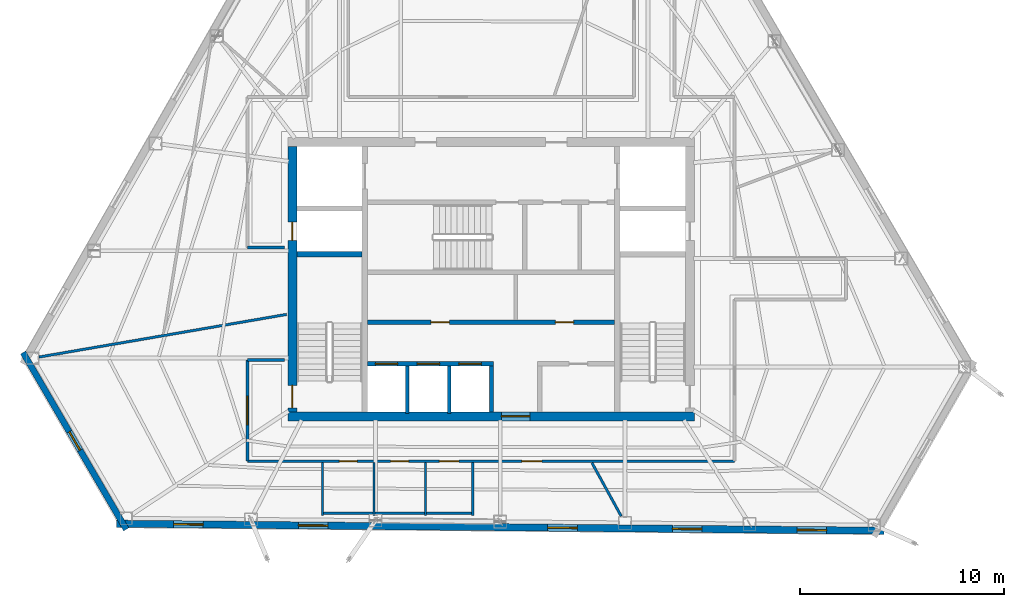
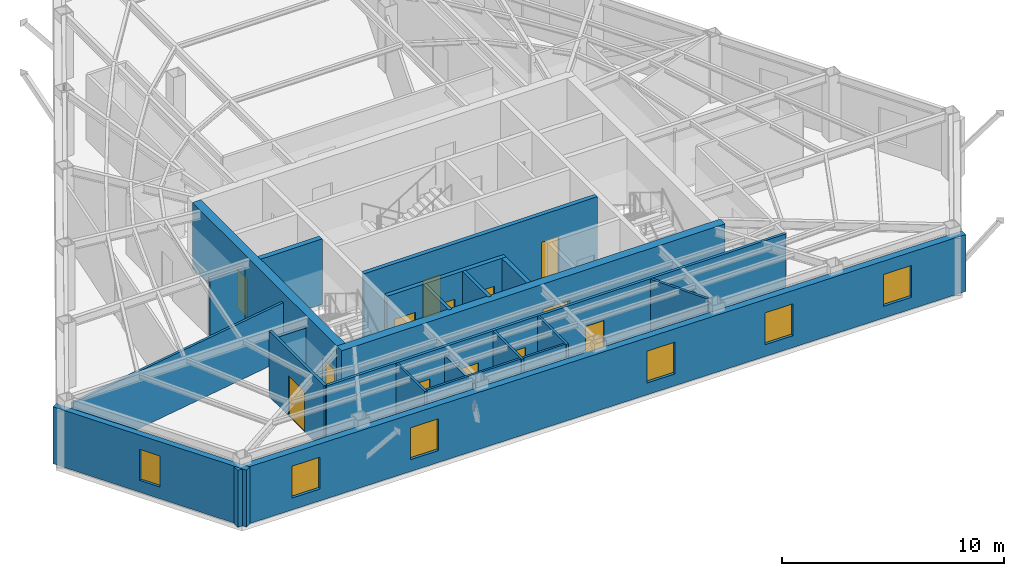
# One storey, part 7 of 10: 21 walls, 13 doors, 6 windows, 19 openings.
"""IFC4 building model written with IfcOpenShell, lengths in metres."""

from ifc_helpers import new_model, si_unit, direction, frame, frame_2d, origin, place, context, subcontext, project, spatial, rectangle, extrude, material, layer, layer_set, type_object, element, fill, save


model = new_model("IFC4")

# Units and contexts
model_context = context("Model", 3, precision=1e-05, world=origin(), true_north=direction((0.0, 1.0)))
body_context = subcontext(model_context, "Body", "Model", "MODEL_VIEW")
ifc_project = project(units=[si_unit("LENGTHUNIT", "METRE"), si_unit("AREAUNIT", "SQUARE_METRE"), si_unit("VOLUMEUNIT", "CUBIC_METRE"), si_unit("PLANEANGLEUNIT", "RADIAN"), si_unit("MASSUNIT", "GRAM", prefix="KILO")], contexts=[model_context])

# Site, building, storey
site_placement = place(None, origin())
site = spatial("IfcSite", under=ifc_project, at=site_placement, CompositionType="ELEMENT")
building_placement = place(site_placement, origin())
building = spatial("IfcBuilding", under=site, at=building_placement, Name="Kavelnor Concourse Tower", CompositionType="ELEMENT")
storey_placement = place(building_placement, frame((0.0, 0.0, 188.10009765625)))
storey = spatial("IfcBuildingStorey", under=building, at=storey_placement, Name="L47", CompositionType="ELEMENT", Elevation=188.10009765625)

# Wall, opening, door
ifc_material_1 = material(Name="Concrete C50/60", Category="concrete")
ifc_layer_1 = layer(ifc_material_1, 0.43994140625, Name="Concrete C50/60")
ifc_layer_set_1 = layer_set([ifc_layer_1], Name="Concrete C50/60")
wall_type_1 = type_object("IfcWallType", Name="WL-CORE-Z3-440", PredefinedType="SOLIDWALL", material=ifc_layer_set_1)
wall_1_placement = place(storey_placement, frame((28.0400390625, 9.3798828125, 0.0), z_axis=(0.0, 0.0, 1.0), x_axis=(1.0, 0.0, 0.0)))
wall_1 = element("IfcWall", 1, at=wall_1_placement, inside=storey, type_object=wall_type_1, Name="L47 Central Core South Shear Wall", PredefinedType="SOLIDWALL", context=body_context, shape_type="SweptSolid", body=[
    extrude(rectangle(XDim=19.919921875, YDim=0.43994140625, at=frame_2d((9.9599609375, 0.0))), origin(), (0.0, 0.0, 1.0), 3.599853515625),
])
opening_1_placement = place(wall_1_placement, frame((10.4599609375, 0.0, 0.0)))
opening_1 = element("IfcOpeningElement", 2, at=opening_1_placement, cuts=wall_1, Name="Opening SD-140", PredefinedType="OPENING", context=body_context, shape_type="SweptSolid", body=[
    extrude(rectangle(XDim=1.39990234375, YDim=2.199951171875, at=frame_2d((0.699951171875, 1.10009765625))), frame((0.0, 0.22998046875, 0.0), z_axis=(0.0, -1.0, 0.0), x_axis=(1.0, 0.0, 0.0)), (0.0, 0.0, 1.0), 0.4599609375),
])
ifc_material_2 = material(Name="Solid-core hardwood timber", Category="wood")
door_type_1 = type_object("IfcDoorType", Name="DR-SUITE-ENTRY-1400", OperationType="NOTDEFINED", PredefinedType="DOOR", material=ifc_material_2)
door_1_placement = place(opening_1_placement, origin())
door_1 = element("IfcDoor", 3, at=door_1_placement, inside=storey, type_object=door_type_1, Name="L47 Passenger Lift Lobby Entry Door", OperationType="SINGLE_SWING_RIGHT", OverallHeight=2.199951171875, OverallWidth=1.39990234375, PredefinedType="DOOR", context=body_context, shape_type="SweptSolid", body=[
    extrude(rectangle(XDim=1.39990234375, YDim=2.199951171875, at=frame_2d((0.699951171875, 1.10009765625))), frame((0.0, 0.02490234375, 0.0), z_axis=(0.0, -1.0, 0.0), x_axis=(1.0, 0.0, 0.0)), (0.0, 0.0, 1.0), 0.050048828125),
])
fill(opening_1, door_1)

# Wall, openings, doors
wall_2_placement = place(storey_placement, frame((28.260009765625, 9.60009765625, 0.0), z_axis=(0.0, 0.0, 1.0), x_axis=(0.0, 1.0, 0.0)))
wall_2 = element("IfcWall", 4, at=wall_2_placement, inside=storey, type_object=wall_type_1, Name="L47 Central Core West Shear Wall", PredefinedType="SOLIDWALL", context=body_context, shape_type="SweptSolid", body=[
    extrude(rectangle(XDim=13.0, YDim=0.43994140625, at=frame_2d((6.5, 0.0))), origin(), (0.0, 0.0, 1.0), 3.599853515625),
])
opening_2_placement = place(wall_2_placement, frame((0.199951171875, 0.0, 0.0)))
opening_2 = element("IfcOpeningElement", 5, at=opening_2_placement, cuts=wall_2, Name="Opening FD-110", PredefinedType="OPENING", context=body_context, shape_type="SweptSolid", body=[
    extrude(rectangle(XDim=1.10009765625, YDim=2.14990234375, at=frame_2d((0.550048828125, 1.074951171875))), frame((0.0, 0.22998046875, 0.0), z_axis=(0.0, -1.0, 0.0), x_axis=(1.0, 0.0, 0.0)), (0.0, 0.0, 1.0), 0.4599609375),
])
opening_3_placement = place(wall_2_placement, frame((8.39990234375, 0.0, 0.0)))
opening_3 = element("IfcOpeningElement", 6, at=opening_3_placement, cuts=wall_2, Name="Opening FD-090", PredefinedType="OPENING", context=body_context, shape_type="SweptSolid", body=[
    extrude(rectangle(XDim=0.89990234375, YDim=2.10009765625, at=frame_2d((0.449951171875, 1.050048828125))), frame((0.0, 0.22998046875, 0.0), z_axis=(0.0, -1.0, 0.0), x_axis=(1.0, 0.0, 0.0)), (0.0, 0.0, 1.0), 0.4599609375),
])
ifc_material_3 = material(Name="Steel Grade 350", Category="steel")
door_type_2 = type_object("IfcDoorType", Name="DR-RISER-FIRE-900", OperationType="NOTDEFINED", PredefinedType="DOOR", material=ifc_material_3)
door_2_placement = place(opening_3_placement, origin())
door_2 = element("IfcDoor", 7, at=door_2_placement, inside=storey, type_object=door_type_2, Name="L47 West Riser Access Door", OperationType="SINGLE_SWING_RIGHT", OverallHeight=2.10009765625, OverallWidth=0.89990234375, PredefinedType="DOOR", context=body_context, shape_type="SweptSolid", body=[
    extrude(rectangle(XDim=0.89990234375, YDim=2.10009765625, at=frame_2d((0.449951171875, 1.050048828125))), frame((0.0, 0.02490234375, 0.0), z_axis=(0.0, -1.0, 0.0), x_axis=(1.0, 0.0, 0.0)), (0.0, 0.0, 1.0), 0.050048828125),
])
fill(opening_3, door_2)
door_type_3 = type_object("IfcDoorType", Name="DR-STAIR-FIRE-1100", OperationType="NOTDEFINED", PredefinedType="DOOR", material=ifc_material_3)
door_3_placement = place(opening_2_placement, origin())
door_3 = element("IfcDoor", 8, at=door_3_placement, inside=storey, type_object=door_type_3, Name="L47 Stair ST1 Fire Door", OperationType="SINGLE_SWING_LEFT", OverallHeight=2.14990234375, OverallWidth=1.10009765625, PredefinedType="DOOR", context=body_context, shape_type="SweptSolid", body=[
    extrude(rectangle(XDim=1.10009765625, YDim=2.14990234375, at=frame_2d((0.550048828125, 1.074951171875))), frame((0.0, 0.02490234375, 0.0), z_axis=(0.0, -1.0, 0.0), x_axis=(1.0, 0.0, 0.0)), (0.0, 0.0, 1.0), 0.050048828125),
])
fill(opening_2, door_3)

# Wall, opening, window
ifc_material_4 = material(Name="Buff ironspot clay face brick masonry", Category="masonry")
ifc_layer_2 = layer(ifc_material_4, 0.300048828125, Name="Buff ironspot clay face brick masonry")
ifc_layer_set_2 = layer_set([ifc_layer_2], Name="Buff ironspot clay face brick masonry")
wall_type_2 = type_object("IfcWallType", Name="WL-EXT-BUFF-BRICK-FOLD-300", PredefinedType="STANDARD", material=ifc_layer_set_2)
wall_3_placement = place(storey_placement, frame((20.119873046875, 3.839111328125, 0.0), z_axis=(0.0, 0.0, 1.0), x_axis=(-0.503937564299, 0.863740083178, 0.0)))
wall_3 = element("IfcWall", 9, at=wall_3_placement, inside=storey, type_object=wall_type_2, Name="L47 Exterior Brick Facade Wall E2", PredefinedType="STANDARD", context=body_context, shape_type="SweptSolid", body=[
    extrude(rectangle(XDim=10.03759765625, YDim=0.300048828125, at=frame_2d((5.018798828125, 0.0))), origin(), (0.0, 0.0, 1.0), 3.1318359375),
])
opening_4_placement = place(wall_3_placement, frame((4.493896484375, 0.0, 0.64990234375)))
opening_4 = element("IfcOpeningElement", 10, at=opening_4_placement, cuts=wall_3, Name="Opening W-06", PredefinedType="OPENING", context=body_context, shape_type="SweptSolid", body=[
    extrude(rectangle(XDim=1.050048828125, YDim=1.699951171875, at=frame_2d((0.52490234375, 0.85009765625))), frame((0.0, 0.16015625, 0.0), z_axis=(0.0, -1.0, 0.0), x_axis=(1.0, 0.0, 0.0)), (0.0, 0.0, 1.0), 0.320068359375),
])
ifc_material_5 = material(Name="Double low-E argon insulated glazing", Category="glass")
window_type_1 = type_object("IfcWindowType", Name="WIN-FOLD-1050", PartitioningType="SINGLE_PANEL", PredefinedType="WINDOW", material=ifc_material_5)
window_1_placement = place(opening_4_placement, origin())
window_1 = element("IfcWindow", 11, at=window_1_placement, inside=storey, type_object=window_type_1, Name="L47 Chamfer-Fold Facet Window C1", OverallHeight=1.699951171875, OverallWidth=1.050048828125, PartitioningType="SINGLE_PANEL", PredefinedType="WINDOW", context=body_context, shape_type="SweptSolid", body=[
    extrude(rectangle(XDim=1.050048828125, YDim=1.699951171875, at=frame_2d((0.52490234375, 0.85009765625))), frame((0.0, 0.030029296875, 0.0), z_axis=(0.0, -1.0, 0.0), x_axis=(1.0, 0.0, 0.0)), (0.0, 0.0, 1.0), 0.06005859375),
])
fill(opening_4, window_1)

# Wall, openings, windows
ifc_material_6 = material(Name="Red-ochre clay face brick masonry", Category="masonry")
ifc_layer_3 = layer(ifc_material_6, 0.35009765625, Name="Red-ochre clay face brick masonry")
ifc_layer_set_3 = layer_set([ifc_layer_3], Name="Red-ochre clay face brick masonry")
wall_type_3 = type_object("IfcWallType", Name="WL-EXT-RED-BRICK-PIER-350", PredefinedType="STANDARD", material=ifc_layer_set_3)
wall_4_placement = place(storey_placement, frame((57.2587890625, 3.77294921875, 0.0), z_axis=(0.0, 0.0, 1.0), x_axis=(-0.999958016909, 0.009163210113, 0.0)))
wall_4 = element("IfcWall", 12, at=wall_4_placement, inside=storey, type_object=wall_type_3, Name="L47 Exterior Brick Facade Wall E3", PredefinedType="STANDARD", context=body_context, shape_type="SweptSolid", body=[
    extrude(rectangle(XDim=37.62060546875, YDim=0.35009765625, at=frame_2d((18.810302734375, 0.0))), origin(), (0.0, 0.0, 1.0), 3.1318359375),
])
opening_5_placement = place(wall_4_placement, frame((33.36767578125, 0.0, 0.64990234375)))
opening_5 = element("IfcOpeningElement", 13, at=opening_5_placement, cuts=wall_4, Name="Opening W-03", PredefinedType="OPENING", context=body_context, shape_type="SweptSolid", body=[
    extrude(rectangle(XDim=1.449951171875, YDim=1.75, at=frame_2d((0.72509765625, 0.875))), frame((0.0, 0.18505859375, 0.0), z_axis=(0.0, -1.0, 0.0), x_axis=(1.0, 0.0, 0.0)), (0.0, 0.0, 1.0), 0.3701171875),
])
opening_6_placement = place(wall_4_placement, frame((27.256591796875, 0.0, 0.64990234375)))
opening_6 = element("IfcOpeningElement", 14, at=opening_6_placement, cuts=wall_4, Name="Opening W-03", PredefinedType="OPENING", context=body_context, shape_type="SweptSolid", body=[
    extrude(rectangle(XDim=1.449951171875, YDim=1.75, at=frame_2d((0.72509765625, 0.875))), frame((0.0, 0.18505859375, 0.0), z_axis=(0.0, -1.0, 0.0), x_axis=(1.0, 0.0, 0.0)), (0.0, 0.0, 1.0), 0.3701171875),
])
opening_7_placement = place(wall_4_placement, frame((15.0341796875, 0.0, 0.64990234375)))
opening_7 = element("IfcOpeningElement", 15, at=opening_7_placement, cuts=wall_4, Name="Opening W-03", PredefinedType="OPENING", context=body_context, shape_type="SweptSolid", body=[
    extrude(rectangle(XDim=1.449951171875, YDim=1.75, at=frame_2d((0.72509765625, 0.875))), frame((0.0, 0.18505859375, 0.0), z_axis=(0.0, -1.0, 0.0), x_axis=(1.0, 0.0, 0.0)), (0.0, 0.0, 1.0), 0.3701171875),
])
opening_8_placement = place(wall_4_placement, frame((8.923095703125, 0.0, 0.64990234375)))
opening_8 = element("IfcOpeningElement", 16, at=opening_8_placement, cuts=wall_4, Name="Opening W-03", PredefinedType="OPENING", context=body_context, shape_type="SweptSolid", body=[
    extrude(rectangle(XDim=1.449951171875, YDim=1.75, at=frame_2d((0.72509765625, 0.875))), frame((0.0, 0.18505859375, 0.0), z_axis=(0.0, -1.0, 0.0), x_axis=(1.0, 0.0, 0.0)), (0.0, 0.0, 1.0), 0.3701171875),
])
opening_9_placement = place(wall_4_placement, frame((2.81201171875, 0.0, 0.64990234375)))
opening_9 = element("IfcOpeningElement", 17, at=opening_9_placement, cuts=wall_4, Name="Opening W-03", PredefinedType="OPENING", context=body_context, shape_type="SweptSolid", body=[
    extrude(rectangle(XDim=1.449951171875, YDim=1.75, at=frame_2d((0.72509765625, 0.875))), frame((0.0, 0.18505859375, 0.0), z_axis=(0.0, -1.0, 0.0), x_axis=(1.0, 0.0, 0.0)), (0.0, 0.0, 1.0), 0.3701171875),
])
window_type_2 = type_object("IfcWindowType", Name="WIN-PIER-Z3-1500", PartitioningType="SINGLE_PANEL", PredefinedType="WINDOW", material=ifc_material_5)
window_2_placement = place(opening_5_placement, origin())
window_2 = element("IfcWindow", 18, at=window_2_placement, inside=storey, type_object=window_type_2, Name="L47 Deep-Set Brick Pier Window F1-B0", OverallHeight=1.75, OverallWidth=1.449951171875, PartitioningType="SINGLE_PANEL", PredefinedType="WINDOW", context=body_context, shape_type="SweptSolid", body=[
    extrude(rectangle(XDim=1.449951171875, YDim=1.75, at=frame_2d((0.72509765625, 0.875))), frame((0.0, 0.030029296875, 0.0), z_axis=(0.0, -1.0, 0.0), x_axis=(1.0, 0.0, 0.0)), (0.0, 0.0, 1.0), 0.06005859375),
])
fill(opening_5, window_2)
window_3_placement = place(opening_6_placement, origin())
window_3 = element("IfcWindow", 19, at=window_3_placement, inside=storey, type_object=window_type_2, Name="L47 Deep-Set Brick Pier Window F1-B1", OverallHeight=1.75, OverallWidth=1.449951171875, PartitioningType="SINGLE_PANEL", PredefinedType="WINDOW", context=body_context, shape_type="SweptSolid", body=[
    extrude(rectangle(XDim=1.449951171875, YDim=1.75, at=frame_2d((0.72509765625, 0.875))), frame((0.0, 0.030029296875, 0.0), z_axis=(0.0, -1.0, 0.0), x_axis=(1.0, 0.0, 0.0)), (0.0, 0.0, 1.0), 0.06005859375),
])
fill(opening_6, window_3)
window_4_placement = place(opening_7_placement, origin())
window_4 = element("IfcWindow", 20, at=window_4_placement, inside=storey, type_object=window_type_2, Name="L47 Deep-Set Brick Pier Window F1-B3", OverallHeight=1.75, OverallWidth=1.449951171875, PartitioningType="SINGLE_PANEL", PredefinedType="WINDOW", context=body_context, shape_type="SweptSolid", body=[
    extrude(rectangle(XDim=1.449951171875, YDim=1.75, at=frame_2d((0.72509765625, 0.875))), frame((0.0, 0.030029296875, 0.0), z_axis=(0.0, -1.0, 0.0), x_axis=(1.0, 0.0, 0.0)), (0.0, 0.0, 1.0), 0.06005859375),
])
fill(opening_7, window_4)
window_5_placement = place(opening_8_placement, origin())
window_5 = element("IfcWindow", 21, at=window_5_placement, inside=storey, type_object=window_type_2, Name="L47 Deep-Set Brick Pier Window F1-B4", OverallHeight=1.75, OverallWidth=1.449951171875, PartitioningType="SINGLE_PANEL", PredefinedType="WINDOW", context=body_context, shape_type="SweptSolid", body=[
    extrude(rectangle(XDim=1.449951171875, YDim=1.75, at=frame_2d((0.72509765625, 0.875))), frame((0.0, 0.030029296875, 0.0), z_axis=(0.0, -1.0, 0.0), x_axis=(1.0, 0.0, 0.0)), (0.0, 0.0, 1.0), 0.06005859375),
])
fill(opening_8, window_5)
window_6_placement = place(opening_9_placement, origin())
window_6 = element("IfcWindow", 22, at=window_6_placement, inside=storey, type_object=window_type_2, Name="L47 Deep-Set Brick Pier Window F1-B5", OverallHeight=1.75, OverallWidth=1.449951171875, PartitioningType="SINGLE_PANEL", PredefinedType="WINDOW", context=body_context, shape_type="SweptSolid", body=[
    extrude(rectangle(XDim=1.449951171875, YDim=1.75, at=frame_2d((0.72509765625, 0.875))), frame((0.0, 0.030029296875, 0.0), z_axis=(0.0, -1.0, 0.0), x_axis=(1.0, 0.0, 0.0)), (0.0, 0.0, 1.0), 0.06005859375),
])
fill(opening_9, window_6)

# Wall
ifc_material_7 = material(Name="Gypsum plasterboard on light-gauge steel studs", Category="steel")
ifc_layer_4 = layer(ifc_material_7, 0.14501953125, Name="Gypsum plasterboard on light-gauge steel studs")
ifc_layer_set_4 = layer_set([ifc_layer_4], Name="Gypsum plasterboard on light-gauge steel studs")
wall_type_4 = type_object("IfcWallType", Name="WL-INT-CORR-145", PredefinedType="PARTITIONING", material=ifc_layer_set_4)
wall_5_placement = place(storey_placement, frame((27.8798828125, 17.64990234375, 0.0), z_axis=(0.0, 0.0, 1.0), x_axis=(-1.0, 0.0, 0.0)))
element("IfcWall", 23, at=wall_5_placement, inside=storey, type_object=wall_type_4, Name="L47 Corridor Wall WL-L47-CR-01", PredefinedType="PARTITIONING", context=body_context, shape_type="SweptSolid", body=[
    extrude(rectangle(XDim=1.81982421875, YDim=0.14501953125, at=frame_2d((0.909912109375, 0.0))), origin(), (0.0, 0.0, 1.0), 3.140869140625),
])

# Wall, openings, doors
wall_6_placement = place(storey_placement, frame((49.93994140625, 7.179931640625, 0.0), z_axis=(0.0, 0.0, 1.0), x_axis=(-1.0, 0.0, 0.0)))
wall_6 = element("IfcWall", 24, at=wall_6_placement, inside=storey, type_object=wall_type_4, Name="L47 Corridor Wall WL-L47-CR-17", PredefinedType="PARTITIONING", context=body_context, shape_type="SweptSolid", body=[
    extrude(rectangle(XDim=23.8798828125, YDim=0.14501953125, at=frame_2d((11.93994140625, 0.0))), origin(), (0.0, 0.0, 1.0), 3.599853515625),
])
opening_10_placement = place(wall_6_placement, frame((18.5, 0.0, 0.0)))
opening_10 = element("IfcOpeningElement", 25, at=opening_10_placement, cuts=wall_6, Name="Opening WD-088", PredefinedType="OPENING", context=body_context, shape_type="SweptSolid", body=[
    extrude(rectangle(XDim=0.8798828125, YDim=2.10009765625, at=frame_2d((0.43994140625, 1.050048828125))), frame((0.0, 0.08251953125, 0.0), z_axis=(0.0, -1.0, 0.0), x_axis=(1.0, 0.0, 0.0)), (0.0, 0.0, 1.0), 0.1650390625),
])
opening_11_placement = place(wall_6_placement, frame((15.97998046875, 0.0, 0.0)))
opening_11 = element("IfcOpeningElement", 26, at=opening_11_placement, cuts=wall_6, Name="Opening WD-088", PredefinedType="OPENING", context=body_context, shape_type="SweptSolid", body=[
    extrude(rectangle(XDim=0.8798828125, YDim=2.10009765625, at=frame_2d((0.43994140625, 1.050048828125))), frame((0.0, 0.08251953125, 0.0), z_axis=(0.0, -1.0, 0.0), x_axis=(1.0, 0.0, 0.0)), (0.0, 0.0, 1.0), 0.1650390625),
])
opening_12_placement = place(wall_6_placement, frame((13.52001953125, 0.0, 0.0)))
opening_12 = element("IfcOpeningElement", 27, at=opening_12_placement, cuts=wall_6, Name="Opening WD-096", PredefinedType="OPENING", context=body_context, shape_type="SweptSolid", body=[
    extrude(rectangle(XDim=0.9599609375, YDim=2.10009765625, at=frame_2d((0.47998046875, 1.050048828125))), frame((0.0, 0.08251953125, 0.0), z_axis=(0.0, -1.0, 0.0), x_axis=(1.0, 0.0, 0.0)), (0.0, 0.0, 1.0), 0.1650390625),
])
opening_13_placement = place(wall_6_placement, frame((9.44580078125, 0.0, 0.0)))
opening_13 = element("IfcOpeningElement", 28, at=opening_13_placement, cuts=wall_6, Name="Opening OD-098", PredefinedType="OPENING", context=body_context, shape_type="SweptSolid", body=[
    extrude(rectangle(XDim=0.97998046875, YDim=2.14990234375, at=frame_2d((0.489990234375, 1.074951171875))), frame((0.0, 0.08251953125, 0.0), z_axis=(0.0, -1.0, 0.0), x_axis=(1.0, 0.0, 0.0)), (0.0, 0.0, 1.0), 0.1650390625),
])
door_type_4 = type_object("IfcDoorType", Name="DR-OFFICE-980", OperationType="NOTDEFINED", PredefinedType="DOOR", material=ifc_material_2)
door_4_placement = place(opening_13_placement, origin())
door_4 = element("IfcDoor", 29, at=door_4_placement, inside=storey, type_object=door_type_4, Name="L47 Technical Reference Library 06 Door", OperationType="SINGLE_SWING_RIGHT", OverallHeight=2.14990234375, OverallWidth=0.97998046875, PredefinedType="DOOR", context=body_context, shape_type="SweptSolid", body=[
    extrude(rectangle(XDim=0.97998046875, YDim=2.14990234375, at=frame_2d((0.489990234375, 1.074951171875))), frame((0.0, 0.02490234375, 0.0), z_axis=(0.0, -1.0, 0.0), x_axis=(1.0, 0.0, 0.0)), (0.0, 0.0, 1.0), 0.050048828125),
])
fill(opening_13, door_4)
door_type_5 = type_object("IfcDoorType", Name="DR-WC-ACC-960", OperationType="NOTDEFINED", PredefinedType="DOOR", material=ifc_material_2)
door_5_placement = place(opening_12_placement, origin())
door_5 = element("IfcDoor", 30, at=door_5_placement, inside=storey, type_object=door_type_5, Name="L47 Accessible WC Door", OperationType="SINGLE_SWING_LEFT", OverallHeight=2.10009765625, OverallWidth=0.9599609375, PredefinedType="DOOR", context=body_context, shape_type="SweptSolid", body=[
    extrude(rectangle(XDim=0.9599609375, YDim=2.10009765625, at=frame_2d((0.47998046875, 1.050048828125))), frame((0.0, 0.02490234375, 0.0), z_axis=(0.0, -1.0, 0.0), x_axis=(1.0, 0.0, 0.0)), (0.0, 0.0, 1.0), 0.050048828125),
])
fill(opening_12, door_5)
door_type_6 = type_object("IfcDoorType", Name="DR-WC-STD-880", OperationType="NOTDEFINED", PredefinedType="DOOR", material=ifc_material_2)
door_6_placement = place(opening_10_placement, origin())
door_6 = element("IfcDoor", 31, at=door_6_placement, inside=storey, type_object=door_type_6, Name="L47 Male WC Door", OperationType="SINGLE_SWING_LEFT", OverallHeight=2.10009765625, OverallWidth=0.8798828125, PredefinedType="DOOR", context=body_context, shape_type="SweptSolid", body=[
    extrude(rectangle(XDim=0.8798828125, YDim=2.10009765625, at=frame_2d((0.43994140625, 1.050048828125))), frame((0.0, 0.02490234375, 0.0), z_axis=(0.0, -1.0, 0.0), x_axis=(1.0, 0.0, 0.0)), (0.0, 0.0, 1.0), 0.050048828125),
])
fill(opening_10, door_6)
door_7_placement = place(opening_11_placement, origin())
door_7 = element("IfcDoor", 32, at=door_7_placement, inside=storey, type_object=door_type_6, Name="L47 Female WC Door", OperationType="SINGLE_SWING_RIGHT", OverallHeight=2.10009765625, OverallWidth=0.8798828125, PredefinedType="DOOR", context=body_context, shape_type="SweptSolid", body=[
    extrude(rectangle(XDim=0.8798828125, YDim=2.10009765625, at=frame_2d((0.43994140625, 1.050048828125))), frame((0.0, 0.02490234375, 0.0), z_axis=(0.0, -1.0, 0.0), x_axis=(1.0, 0.0, 0.0)), (0.0, 0.0, 1.0), 0.050048828125),
])
fill(opening_11, door_7)

# Wall, opening, door
wall_7_placement = place(storey_placement, frame((26.06005859375, 7.179931640625, 0.0), z_axis=(0.0, 0.0, 1.0), x_axis=(0.0, 1.0, 0.0)))
wall_7 = element("IfcWall", 33, at=wall_7_placement, inside=storey, type_object=wall_type_4, Name="L47 Corridor Wall WL-L47-CR-18", PredefinedType="PARTITIONING", context=body_context, shape_type="SweptSolid", body=[
    extrude(rectangle(XDim=4.969970703125, YDim=0.14501953125, at=frame_2d((2.48486328125, 0.0))), origin(), (0.0, 0.0, 1.0), 3.599853515625),
])
opening_14_placement = place(wall_7_placement, frame((1.784912109375, 0.0, 0.0)))
opening_14 = element("IfcOpeningElement", 34, at=opening_14_placement, cuts=wall_7, Name="Opening SD-140", PredefinedType="OPENING", context=body_context, shape_type="SweptSolid", body=[
    extrude(rectangle(XDim=1.39990234375, YDim=2.199951171875, at=frame_2d((0.699951171875, 1.10009765625))), frame((0.0, 0.08251953125, 0.0), z_axis=(0.0, -1.0, 0.0), x_axis=(1.0, 0.0, 0.0)), (0.0, 0.0, 1.0), 0.1650390625),
])
door_8_placement = place(opening_14_placement, origin())
door_8 = element("IfcDoor", 35, at=door_8_placement, inside=storey, type_object=door_type_1, Name="L47 Technical Reference Library 05 Door", OperationType="SINGLE_SWING_LEFT", OverallHeight=2.199951171875, OverallWidth=1.39990234375, PredefinedType="DOOR", context=body_context, shape_type="SweptSolid", body=[
    extrude(rectangle(XDim=1.39990234375, YDim=2.199951171875, at=frame_2d((0.699951171875, 1.10009765625))), frame((0.0, 0.02490234375, 0.0), z_axis=(0.0, -1.0, 0.0), x_axis=(1.0, 0.0, 0.0)), (0.0, 0.0, 1.0), 0.050048828125),
])
fill(opening_14, door_8)

# Walls
wall_8_placement = place(storey_placement, frame((26.06005859375, 12.14990234375, 0.0), z_axis=(0.0, 0.0, 1.0), x_axis=(1.0, 0.0, 0.0)))
element("IfcWall", 36, at=wall_8_placement, inside=storey, type_object=wall_type_4, Name="L47 Corridor Wall WL-L47-CR-19", PredefinedType="PARTITIONING", context=body_context, shape_type="SweptSolid", body=[
    extrude(rectangle(XDim=1.81982421875, YDim=0.14501953125, at=frame_2d((0.909912109375, 0.0))), origin(), (0.0, 0.0, 1.0), 3.140869140625),
])
ifc_layer_5 = layer(ifc_material_7, 0.1650390625, Name="Gypsum plasterboard on light-gauge steel studs")
ifc_layer_set_5 = layer_set([ifc_layer_5], Name="Gypsum plasterboard on light-gauge steel studs")
wall_type_5 = type_object("IfcWallType", Name="WL-INT-FIRE-165", PredefinedType="PARTITIONING", material=ifc_layer_set_5)
for number, where, z_axis, x_axis, name in (
    (37, (33.89990234375, 9.52001953125, 0.0), (0.0, 0.0, 1.0), (0.0, 1.0, 0.0), "L47 Lift Shaft Divider LP7"),
    (38, (35.949951171875, 9.52001953125, 0.0), (0.0, 0.0, 1.0), (0.0, 1.0, 0.0), "L47 Lift Shaft Divider LP8"),
):
    element("IfcWall", number, at=place(storey_placement, frame(where, z_axis=z_axis, x_axis=x_axis)), inside=storey, type_object=wall_type_5, Name=name, PredefinedType="PARTITIONING", context=body_context, shape_type="SweptSolid", body=[
        extrude(rectangle(XDim=2.320068359375, YDim=0.1650390625, at=frame_2d((1.16015625, 0.0))), origin(), (0.0, 0.0, 1.0), 3.599853515625),
    ])
ifc_layer_6 = layer(ifc_material_7, 0.125, Name="Gypsum plasterboard on light-gauge steel studs")
ifc_layer_set_6 = layer_set([ifc_layer_6], Name="Gypsum plasterboard on light-gauge steel studs")
wall_type_6 = type_object("IfcWallType", Name="WL-INT-SUITE-125", PredefinedType="PARTITIONING", material=ifc_layer_set_6)
wall_9_placement = place(storey_placement, frame((27.97998046875, 14.375244140625, 0.0), z_axis=(0.0, 0.0, 1.0), x_axis=(-0.9855033492, -0.169655971646, 0.0)))
element("IfcWall", 39, at=wall_9_placement, inside=storey, type_object=wall_type_6, Name="L47 Radial Suite Partition 04", PredefinedType="PARTITIONING", context=body_context, shape_type="SweptSolid", body=[
    extrude(rectangle(XDim=12.315185546875, YDim=0.125, at=frame_2d((6.15771484375, 0.0))), origin(), (0.0, 0.0, 1.0), 3.140869140625),
])
wall_10_placement = place(storey_placement, frame((42.943359375, 7.099609375, 0.0), z_axis=(0.0, 0.0, 1.0), x_axis=(0.481352610258, -0.876527047271, 0.0)))
element("IfcWall", 40, at=wall_10_placement, inside=storey, type_object=wall_type_6, Name="L47 Radial Suite Partition 05", PredefinedType="PARTITIONING", context=body_context, shape_type="SweptSolid", body=[
    extrude(rectangle(XDim=2.980224609375, YDim=0.125, at=frame_2d((1.490234375, 0.0))), origin(), (0.0, 0.0, 1.0), 3.599853515625),
])
ifc_layer_7 = layer(ifc_material_7, 0.110107421875, Name="Gypsum plasterboard on light-gauge steel studs")
ifc_layer_set_7 = layer_set([ifc_layer_7], Name="Gypsum plasterboard on light-gauge steel studs")
wall_type_7 = type_object("IfcWallType", Name="WL-INT-WC-110", PredefinedType="PLUMBINGWALL", material=ifc_layer_set_7)
wall_11_placement = place(storey_placement, frame((29.739990234375, 4.530029296875, 0.0), z_axis=(0.0, 0.0, 1.0), x_axis=(0.0, 1.0, 0.0)))
element("IfcWall", 41, at=wall_11_placement, inside=storey, type_object=wall_type_7, Name="L47 Sanitary Partition WL-L47-WC-W", PredefinedType="PLUMBINGWALL", context=body_context, shape_type="SweptSolid", body=[
    extrude(rectangle(XDim=2.580078125, YDim=0.110107421875, at=frame_2d((1.2900390625, 0.0))), origin(), (0.0, 0.0, 1.0), 3.599853515625),
])
wall_12_placement = place(storey_placement, frame((32.260009765625, 4.530029296875, 0.0), z_axis=(0.0, 0.0, 1.0), x_axis=(0.0, 1.0, 0.0)))
element("IfcWall", 42, at=wall_12_placement, inside=storey, type_object=wall_type_7, Name="L47 Sanitary Partition WL-L47-WC-D1", PredefinedType="PLUMBINGWALL", context=body_context, shape_type="SweptSolid", body=[
    extrude(rectangle(XDim=2.580078125, YDim=0.110107421875, at=frame_2d((1.2900390625, 0.0))), origin(), (0.0, 0.0, 1.0), 3.140869140625),
])
for number, where, z_axis, x_axis, name in (
    (43, (34.780029296875, 4.530029296875, 0.0), (0.0, 0.0, 1.0), (0.0, 1.0, 0.0), "L47 Sanitary Partition WL-L47-WC-D2"),
    (44, (37.10009765625, 4.530029296875, 0.0), (0.0, 0.0, 1.0), (0.0, 1.0, 0.0), "L47 Sanitary Partition WL-L47-WC-E"),
):
    element("IfcWall", number, at=place(storey_placement, frame(where, z_axis=z_axis, x_axis=x_axis)), inside=storey, type_object=wall_type_7, Name=name, PredefinedType="PLUMBINGWALL", context=body_context, shape_type="SweptSolid", body=[
        extrude(rectangle(XDim=2.580078125, YDim=0.110107421875, at=frame_2d((1.2900390625, 0.0))), origin(), (0.0, 0.0, 1.0), 3.599853515625),
    ])
wall_13_placement = place(storey_placement, frame((29.68994140625, 4.6298828125, 0.0), z_axis=(0.0, 0.0, 1.0), x_axis=(1.0, 0.0, 0.0)))
element("IfcWall", 45, at=wall_13_placement, inside=storey, type_object=wall_type_7, Name="L47 Sanitary Partition WL-L47-WC-S", PredefinedType="PLUMBINGWALL", context=body_context, shape_type="SweptSolid", body=[
    extrude(rectangle(XDim=7.4599609375, YDim=0.110107421875, at=frame_2d((3.72998046875, 0.0))), origin(), (0.0, 0.0, 1.0), 3.599853515625),
])

# Wall, openings, doors
ifc_layer_8 = layer(ifc_material_1, 0.219970703125, Name="Concrete C50/60")
ifc_layer_set_8 = layer_set([ifc_layer_8], Name="Concrete C50/60")
wall_type_8 = type_object("IfcWallType", Name="WL-SHAFT-220", PredefinedType="SOLIDWALL", material=ifc_layer_set_8)
wall_14_placement = place(storey_placement, frame((31.93994140625, 13.989990234375, 0.0), z_axis=(0.0, 0.0, 1.0), x_axis=(1.0, 0.0, 0.0)))
wall_14 = element("IfcWall", 46, at=wall_14_placement, inside=storey, type_object=wall_type_8, Name="L47 North Lift Row Shaft Wall", PredefinedType="SOLIDWALL", context=body_context, shape_type="SweptSolid", body=[
    extrude(rectangle(XDim=12.1201171875, YDim=0.219970703125, at=frame_2d((6.06005859375, 0.0))), origin(), (0.0, 0.0, 1.0), 3.599853515625),
])
opening_15_placement = place(wall_14_placement, frame((3.110107421875, 0.0, 0.0)))
opening_15 = element("IfcOpeningElement", 47, at=opening_15_placement, cuts=wall_14, Name="Opening FD-090", PredefinedType="OPENING", context=body_context, shape_type="SweptSolid", body=[
    extrude(rectangle(XDim=0.89990234375, YDim=2.10009765625, at=frame_2d((0.449951171875, 1.050048828125))), frame((0.0, 0.1201171875, 0.0), z_axis=(0.0, -1.0, 0.0), x_axis=(1.0, 0.0, 0.0)), (0.0, 0.0, 1.0), 0.239990234375),
])
opening_16_placement = place(wall_14_placement, frame((9.2099609375, 0.0, 0.0)))
opening_16 = element("IfcOpeningElement", 48, at=opening_16_placement, cuts=wall_14, Name="Opening FD-090", PredefinedType="OPENING", context=body_context, shape_type="SweptSolid", body=[
    extrude(rectangle(XDim=0.89990234375, YDim=2.10009765625, at=frame_2d((0.449951171875, 1.050048828125))), frame((0.0, 0.1201171875, 0.0), z_axis=(0.0, -1.0, 0.0), x_axis=(1.0, 0.0, 0.0)), (0.0, 0.0, 1.0), 0.239990234375),
])
door_9_placement = place(opening_15_placement, origin())
door_9 = element("IfcDoor", 49, at=door_9_placement, inside=storey, type_object=door_type_2, Name="L47 Lounge Pantry Door", OperationType="SINGLE_SWING_LEFT", OverallHeight=2.10009765625, OverallWidth=0.89990234375, PredefinedType="DOOR", context=body_context, shape_type="SweptSolid", body=[
    extrude(rectangle(XDim=0.89990234375, YDim=2.10009765625, at=frame_2d((0.449951171875, 1.050048828125))), frame((0.0, 0.02490234375, 0.0), z_axis=(0.0, -1.0, 0.0), x_axis=(1.0, 0.0, 0.0)), (0.0, 0.0, 1.0), 0.050048828125),
])
fill(opening_15, door_9)
door_10_placement = place(opening_16_placement, origin())
door_10 = element("IfcDoor", 50, at=door_10_placement, inside=storey, type_object=door_type_2, Name="L47 Facilities Store Door", OperationType="SINGLE_SWING_RIGHT", OverallHeight=2.10009765625, OverallWidth=0.89990234375, PredefinedType="DOOR", context=body_context, shape_type="SweptSolid", body=[
    extrude(rectangle(XDim=0.89990234375, YDim=2.10009765625, at=frame_2d((0.449951171875, 1.050048828125))), frame((0.0, 0.02490234375, 0.0), z_axis=(0.0, -1.0, 0.0), x_axis=(1.0, 0.0, 0.0)), (0.0, 0.0, 1.0), 0.050048828125),
])
fill(opening_16, door_10)

wall_15_placement = place(storey_placement, frame((31.93994140625, 11.949951171875, 0.0), z_axis=(0.0, 0.0, 1.0), x_axis=(1.0, 0.0, 0.0)))
wall_15 = element("IfcWall", 51, at=wall_15_placement, inside=storey, type_object=wall_type_8, Name="L47 High-Rise Lift Bank North Wall", PredefinedType="SOLIDWALL", context=body_context, shape_type="SweptSolid", body=[
    extrude(rectangle(XDim=6.18994140625, YDim=0.219970703125, at=frame_2d((3.094970703125, 0.0))), origin(), (0.0, 0.0, 1.0), 3.599853515625),
])
opening_17_placement = place(wall_15_placement, frame((0.385009765625, 0.0, 0.0)))
opening_17 = element("IfcOpeningElement", 52, at=opening_17_placement, cuts=wall_15, Name="Opening LD-110", PredefinedType="OPENING", context=body_context, shape_type="SweptSolid", body=[
    extrude(rectangle(XDim=1.10009765625, YDim=2.199951171875, at=frame_2d((0.550048828125, 1.10009765625))), frame((0.0, 0.1201171875, 0.0), z_axis=(0.0, -1.0, 0.0), x_axis=(1.0, 0.0, 0.0)), (0.0, 0.0, 1.0), 0.239990234375),
])
opening_18_placement = place(wall_15_placement, frame((2.43505859375, 0.0, 0.0)))
opening_18 = element("IfcOpeningElement", 53, at=opening_18_placement, cuts=wall_15, Name="Opening LD-110", PredefinedType="OPENING", context=body_context, shape_type="SweptSolid", body=[
    extrude(rectangle(XDim=1.10009765625, YDim=2.199951171875, at=frame_2d((0.550048828125, 1.10009765625))), frame((0.0, 0.1201171875, 0.0), z_axis=(0.0, -1.0, 0.0), x_axis=(1.0, 0.0, 0.0)), (0.0, 0.0, 1.0), 0.239990234375),
])
opening_19_placement = place(wall_15_placement, frame((4.485107421875, 0.0, 0.0)))
opening_19 = element("IfcOpeningElement", 54, at=opening_19_placement, cuts=wall_15, Name="Opening LD-110", PredefinedType="OPENING", context=body_context, shape_type="SweptSolid", body=[
    extrude(rectangle(XDim=1.10009765625, YDim=2.199951171875, at=frame_2d((0.550048828125, 1.10009765625))), frame((0.0, 0.1201171875, 0.0), z_axis=(0.0, -1.0, 0.0), x_axis=(1.0, 0.0, 0.0)), (0.0, 0.0, 1.0), 0.239990234375),
])
door_type_7 = type_object("IfcDoorType", Name="DR-LIFT-SLIDING-1100", OperationType="NOTDEFINED", PredefinedType="DOOR", material=ifc_material_3)
door_11_placement = place(opening_17_placement, origin())
door_11 = element("IfcDoor", 55, at=door_11_placement, inside=storey, type_object=door_type_7, Name="L47 Lift LP7 Landing Door", OperationType="DOUBLE_DOOR_SLIDING", OverallHeight=2.199951171875, OverallWidth=1.10009765625, PredefinedType="DOOR", context=body_context, shape_type="SweptSolid", body=[
    extrude(rectangle(XDim=1.10009765625, YDim=2.199951171875, at=frame_2d((0.550048828125, 1.10009765625))), frame((0.0, 0.02490234375, 0.0), z_axis=(0.0, -1.0, 0.0), x_axis=(1.0, 0.0, 0.0)), (0.0, 0.0, 1.0), 0.050048828125),
])
fill(opening_17, door_11)
door_12_placement = place(opening_18_placement, origin())
door_12 = element("IfcDoor", 56, at=door_12_placement, inside=storey, type_object=door_type_7, Name="L47 Lift LP8 Landing Door", OperationType="DOUBLE_DOOR_SLIDING", OverallHeight=2.199951171875, OverallWidth=1.10009765625, PredefinedType="DOOR", context=body_context, shape_type="SweptSolid", body=[
    extrude(rectangle(XDim=1.10009765625, YDim=2.199951171875, at=frame_2d((0.550048828125, 1.10009765625))), frame((0.0, 0.02490234375, 0.0), z_axis=(0.0, -1.0, 0.0), x_axis=(1.0, 0.0, 0.0)), (0.0, 0.0, 1.0), 0.050048828125),
])
fill(opening_18, door_12)
door_13_placement = place(opening_19_placement, origin())
door_13 = element("IfcDoor", 57, at=door_13_placement, inside=storey, type_object=door_type_7, Name="L47 Lift LP9 Landing Door", OperationType="DOUBLE_DOOR_SLIDING", OverallHeight=2.199951171875, OverallWidth=1.10009765625, PredefinedType="DOOR", context=body_context, shape_type="SweptSolid", body=[
    extrude(rectangle(XDim=1.10009765625, YDim=2.199951171875, at=frame_2d((0.550048828125, 1.10009765625))), frame((0.0, 0.02490234375, 0.0), z_axis=(0.0, -1.0, 0.0), x_axis=(1.0, 0.0, 0.0)), (0.0, 0.0, 1.0), 0.050048828125),
])
fill(opening_19, door_13)

# Walls
wall_16_placement = place(storey_placement, frame((38.02001953125, 9.60009765625, 0.0), z_axis=(0.0, 0.0, 1.0), x_axis=(0.0, 1.0, 0.0)))
element("IfcWall", 58, at=wall_16_placement, inside=storey, type_object=wall_type_8, Name="L47 Lift Lobby Throat West Wall", PredefinedType="SOLIDWALL", context=body_context, shape_type="SweptSolid", body=[
    extrude(rectangle(XDim=2.239990234375, YDim=0.219970703125, at=frame_2d((1.1201171875, 0.0))), origin(), (0.0, 0.0, 1.0), 3.599853515625),
])
ifc_layer_9 = layer(ifc_material_1, 0.260009765625, Name="Concrete C50/60")
ifc_layer_set_9 = layer_set([ifc_layer_9], Name="Concrete C50/60")
wall_type_9 = type_object("IfcWallType", Name="WL-SHAFT-260", PredefinedType="SHEAR", material=ifc_layer_set_9)
wall_17_placement = place(storey_placement, frame((28.47998046875, 17.330078125, 0.0), z_axis=(0.0, 0.0, 1.0), x_axis=(1.0, 0.0, 0.0)))
element("IfcWall", 59, at=wall_17_placement, inside=storey, type_object=wall_type_9, Name="L47 Stair ST1 North Shaft Wall", PredefinedType="SHEAR", context=body_context, shape_type="SweptSolid", body=[
    extrude(rectangle(XDim=3.199951171875, YDim=0.260009765625, at=frame_2d((1.60009765625, 0.0))), origin(), (0.0, 0.0, 1.0), 3.599853515625),
])

save(model, "model.ifc")
